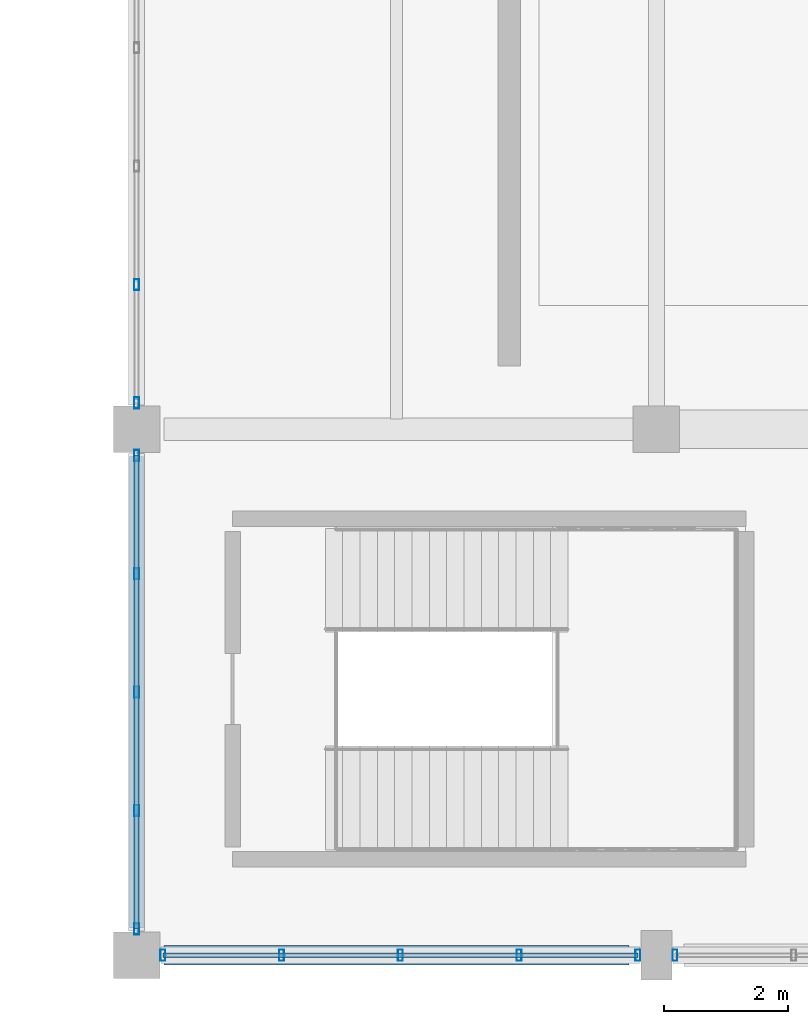
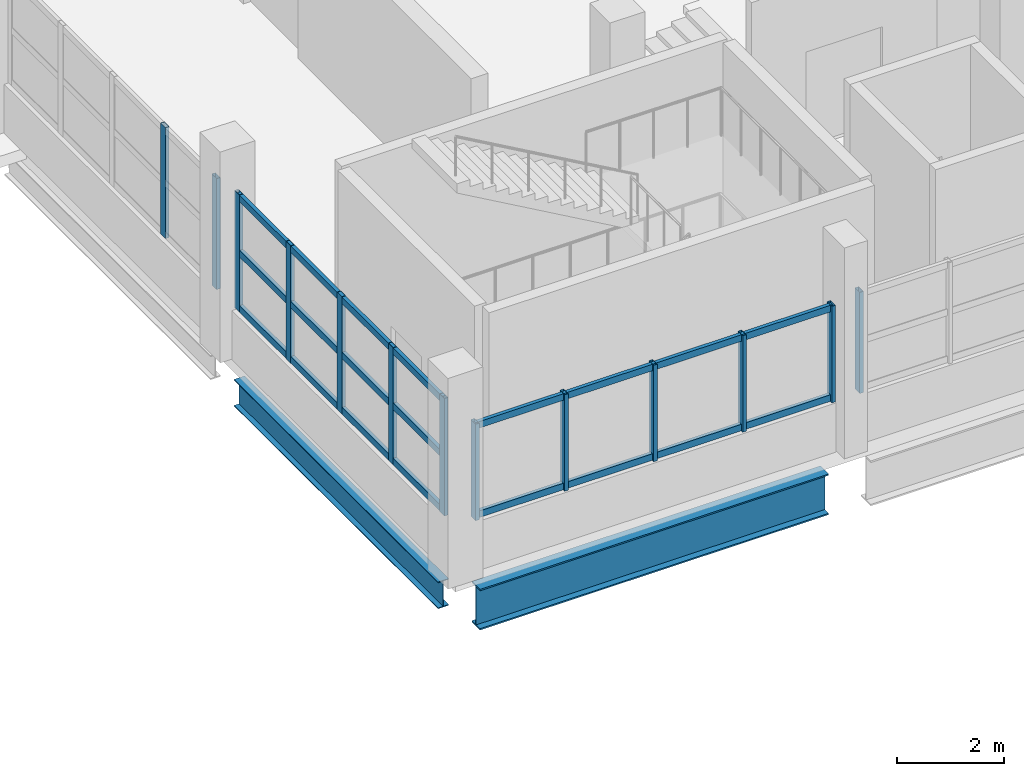
# One storey, part 48 of 117: 18 members, 2 beams, 4 elements without a shape of their own.
"""IFC4 building model written with IfcOpenShell, lengths in metres."""

import ifcopenshell
import ifcopenshell.guid

model = None  # the IFC model being written
_history = None  # IfcOwnerHistory: only IFC2X3 demands one
_inside = {}  # id of a spatial element -> (the spatial element, [elements in it])
_under = {}  # id of a project, library or spatial element -> (it, [spatial elements below it])
_declared = {}  # id of a project -> (the project, [libraries it declares])
_typed = {}  # id of a type object -> (the type object, [elements of that type])
_made_of = {}  # id of a material, layer set ... -> (it, [elements and type objects made of it])


def new_model(schema):
    """Start an empty IFC model of exactly this schema.

    Asked for "IFC4X3", IfcOpenShell would pick the latest addendum, in which some entities
    have other attributes; the version numbers below select the first issue.
    IFC2X3 requires an IfcOwnerHistory on every rooted entity: one is made here for all.
    """
    global model, _history
    if schema == "IFC4X3":
        model = ifcopenshell.file(schema_version=(4, 3, 0, 0))
    else:
        model = ifcopenshell.file(schema=schema)
    _inside.clear()
    _under.clear()
    _declared.clear()
    _typed.clear()
    _made_of.clear()
    _history = None
    if model.schema == "IFC2X3":
        org = make("IfcOrganization", Name="unknown")
        user = make(
            "IfcPersonAndOrganization",
            ThePerson=make("IfcPerson", FamilyName="unknown"),
            TheOrganization=org,
        )
        app = make(
            "IfcApplication",
            ApplicationDeveloper=org,
            Version="unknown",
            ApplicationFullName="unknown",
            ApplicationIdentifier="unknown",
        )
        _history = make(
            "IfcOwnerHistory",
            OwningUser=user,
            OwningApplication=app,
            ChangeAction="ADDED",
            CreationDate=0,
        )
    return model


def make(cls, **values):
    """One entity of the class cls with the attributes given. An attribute that is None is left unset."""
    return model.create_entity(
        cls, **{name: value for name, value in values.items() if value is not None}
    )


def rooted(cls, **values):
    """An entity with a GlobalId (a new one), such as an element, a storey or a relation."""
    return make(cls, GlobalId=ifcopenshell.guid.new(), OwnerHistory=_history, **values)


def si_unit(unit_type, name, prefix=None):
    """IfcSIUnit, for example si_unit("LENGTHUNIT", "METRE", prefix="MILLI")."""
    return make("IfcSIUnit", UnitType=unit_type, Prefix=prefix, Name=name)


def assignment(units):
    """IfcUnitAssignment: the units of a project."""
    return None if units is None else make("IfcUnitAssignment", Units=units)


def point(xyz):
    """IfcCartesianPoint."""
    return None if xyz is None else make("IfcCartesianPoint", Coordinates=xyz)


def direction(xyz):
    """IfcDirection."""
    return None if xyz is None else make("IfcDirection", DirectionRatios=xyz)


def frame(location, z_axis=None, x_axis=None):
    """IfcAxis2Placement3D, a coordinate frame: its origin and axes. An axis left out is left unset."""
    return make(
        "IfcAxis2Placement3D",
        Location=point(location),
        Axis=direction(z_axis),
        RefDirection=direction(x_axis),
    )


def frame_2d(location, x_axis=None):
    """IfcAxis2Placement2D, a coordinate frame in the plane: its origin and x axis."""
    return make(
        "IfcAxis2Placement2D", Location=point(location), RefDirection=direction(x_axis)
    )


def origin():
    """The frame at (0, 0, 0) with its axes left unset."""
    return frame((0.0, 0.0, 0.0))


def origin_2d():
    """The frame at (0, 0) in the plane with its x axis left unset."""
    return frame_2d((0.0, 0.0))


def place(relative_to, where):
    """IfcLocalPlacement: puts the frame where relative to a parent placement (None: the world)."""
    return make(
        "IfcLocalPlacement", PlacementRelTo=relative_to, RelativePlacement=where
    )


def context(
    kind, dimensions, precision=None, world=None, true_north=None, identifier=None
):
    """IfcGeometricRepresentationContext, for example the 3D "Model" context."""
    return make(
        "IfcGeometricRepresentationContext",
        ContextIdentifier=identifier,
        ContextType=kind,
        CoordinateSpaceDimension=dimensions,
        Precision=precision,
        WorldCoordinateSystem=world,
        TrueNorth=true_north,
    )


def subcontext(parent, identifier, kind, view, scale=None):
    """IfcGeometricRepresentationSubContext, for example "Body" below "Model"."""
    return make(
        "IfcGeometricRepresentationSubContext",
        ContextIdentifier=identifier,
        ContextType=kind,
        ParentContext=parent,
        TargetScale=scale,
        TargetView=view,
    )


def project(units=None, contexts=None):
    """IfcProject with its units and contexts."""
    return rooted(
        "IfcProject",
        Name="project",
        RepresentationContexts=contexts,
        UnitsInContext=assignment(units),
    )


def spatial(cls, under=None, at=None, **own):
    """A site, building, storey or space (cls), placed at a placement, below another one or the project."""
    s = rooted(cls, ObjectPlacement=at, **own)
    if under is not None:
        _under.setdefault(under.id(), (under, []))[1].append(s)
    return s


def profile(cls, at=None, kind="AREA", **sizes):
    """A parametric profile (cls). Its sizes go by their IFC names, for example OverallWidth=200.0."""
    return make(cls, ProfileType=kind, Position=at, **sizes)


def hollow_rectangle(**sizes):
    """IfcRectangleHollowProfileDef."""
    return profile("IfcRectangleHollowProfileDef", **sizes)


def i_section(**sizes):
    """IfcIShapeProfileDef."""
    return profile("IfcIShapeProfileDef", **sizes)


def extrude(swept, where, along, depth):
    """IfcExtrudedAreaSolid: the profile swept, set in the frame where, extruded along a direction by depth."""
    return make(
        "IfcExtrudedAreaSolid",
        SweptArea=swept,
        Position=where,
        ExtrudedDirection=direction(along),
        Depth=depth,
    )


def shape(context_of_items, identifier, shape_type, items):
    """IfcShapeRepresentation: the items that make up one representation, for example the "Body"."""
    return make(
        "IfcShapeRepresentation",
        ContextOfItems=context_of_items,
        RepresentationIdentifier=identifier,
        RepresentationType=shape_type,
        Items=items,
    )


def material(Name=None, Category=None):
    """IfcMaterial."""
    return make("IfcMaterial", Name=Name, Category=Category)


def material_profile(
    of_material, cross_section, Name=None, Category=None, Priority=None
):
    """IfcMaterialProfile: a cross section and its material."""
    return make(
        "IfcMaterialProfile",
        Name=Name,
        Material=of_material,
        Profile=cross_section,
        Priority=Priority,
        Category=Category,
    )


def profile_set(profiles, Name=None, composite=None):
    """IfcMaterialProfileSet."""
    return make(
        "IfcMaterialProfileSet",
        Name=Name,
        MaterialProfiles=profiles,
        CompositeProfile=composite,
    )


def made_of(thing, what):
    """Note that an element or type object is made of a material, layer set ...; save() writes the relation."""
    if what is not None:
        _made_of.setdefault(what.id(), (what, []))[1].append(thing)
    return thing


def type_object(cls, material=None, **own):
    """A type object (cls), such as IfcWallType, which elements share."""
    return made_of(rooted(cls, **own), material)


def element(
    cls,
    number,
    at=None,
    inside=None,
    cuts=None,
    type_object=None,
    material=None,
    context=None,
    identifier="Body",
    shape_type=None,
    held_by="IfcProductDefinitionShape",
    body=None,
    shapes=None,
    **own,
):
    """One element of the class cls, such as IfcWall. Its Tag is "e" and its number.

    at: its placement. inside: the storey or other place that contains it. cuts: it is an
    opening in that element (IfcRelVoidsElement). A single representation is given by context,
    identifier, shape_type and body (its items); several are given by shapes. held_by: the class
    of the entity that holds the representations. save() writes the other relations.
    """
    e = rooted(cls, Tag="e%d" % number, ObjectPlacement=at, **own)
    if body is not None:
        shapes = [shape(context, identifier, shape_type, body)]
    if shapes is not None:
        e.Representation = make(held_by, Representations=shapes)
    if inside is not None:
        _inside.setdefault(inside.id(), (inside, []))[1].append(e)
    if cuts is not None:
        rooted(
            "IfcRelVoidsElement", RelatingBuildingElement=cuts, RelatedOpeningElement=e
        )
    if type_object is not None:
        _typed.setdefault(type_object.id(), (type_object, []))[1].append(e)
    return made_of(e, material)


def aggregate(whole, parts):
    """IfcRelAggregates: a whole, such as a stair, and the parts it consists of."""
    return rooted("IfcRelAggregates", RelatingObject=whole, RelatedObjects=parts)


def save(model, path):
    """Write the relations noted so far, then the file.

    IfcRelAggregates (storeys below a building ...), IfcRelContainedInSpatialStructure (elements
    in a storey), IfcRelDefinesByType, IfcRelAssociatesMaterial and IfcRelDeclares: one each for
    every whole, place, type object, material and project.
    """
    for whole, parts in _under.values():
        aggregate(whole, parts)
    for where, things in _inside.values():
        rooted(
            "IfcRelContainedInSpatialStructure",
            RelatedElements=things,
            RelatingStructure=where,
        )
    for kind, things in _typed.values():
        rooted("IfcRelDefinesByType", RelatedObjects=things, RelatingType=kind)
    for what, things in _made_of.values():
        rooted("IfcRelAssociatesMaterial", RelatedObjects=things, RelatingMaterial=what)
    for by, libraries in _declared.values():
        rooted("IfcRelDeclares", RelatingContext=by, RelatedDefinitions=libraries)
    model.write(path)


model = new_model("IFC4")

# Units and contexts
model_context = context("Model", 3, precision=1e-05, world=origin(), true_north=direction((0.0, 1.0)))
body_context = subcontext(model_context, "Body", "Model", "MODEL_VIEW")
ifc_project = project(units=[si_unit("LENGTHUNIT", "METRE"), si_unit("AREAUNIT", "SQUARE_METRE"), si_unit("VOLUMEUNIT", "CUBIC_METRE"), si_unit("PLANEANGLEUNIT", "RADIAN"), si_unit("MASSUNIT", "GRAM", prefix="KILO")], contexts=[model_context])

# Site, building, storey
site_placement = place(None, origin())
site = spatial("IfcSite", under=ifc_project, at=site_placement, CompositionType="ELEMENT")
building_placement = place(site_placement, origin())
building = spatial("IfcBuilding", under=site, at=building_placement, Name="Solvento Point Concert Hall", CompositionType="ELEMENT")
storey_placement = place(building_placement, frame((0.0, 0.0, 5.39990234375)))
storey = spatial("IfcBuildingStorey", under=building, at=storey_placement, Name="L01", CompositionType="ELEMENT", Elevation=5.39990234375)

# Beams
ifc_material_1 = material(Name="Structural Steel ASTM A992 Grade 50", Category="steel")
ifc_material_profile_1 = material_profile(ifc_material_1, i_section(OverallWidth=0.228515625, OverallDepth=0.60791015625, WebThickness=0.01123046875, FlangeThickness=0.017333984375, at=origin_2d()), Name="W24X76")
ifc_profile_set_1 = profile_set([ifc_material_profile_1], Name="Structural Steel ASTM A992 Grade 50")
beam_type_1 = type_object("IfcBeamType", Name="Beam_W24X76", PredefinedType="BEAM", material=ifc_profile_set_1)
beam_1_placement = place(storey_placement, frame((150.0, 0.444091796875, -0.727783203125), z_axis=(0.0, 1.0, 0.0), x_axis=(-1.0, 0.0, 0.0)))
element("IfcBeam", 1, at=beam_1_placement, inside=storey, type_object=beam_type_1, Name="Primary girder B-42 L01", PredefinedType="BEAM", context=body_context, shape_type="SweptSolid", body=[
    extrude(i_section(OverallWidth=0.228515625, OverallDepth=0.60791015625, WebThickness=0.01123046875, FlangeThickness=0.017333984375, at=origin_2d()), origin(), (0.0, 0.0, 1.0), 7.61181640625),
])
ifc_material_2 = material(Name="Structural Steel ASTM A992 Grade 50", Category="steel")
ifc_material_profile_2 = material_profile(ifc_material_2, i_section(OverallWidth=0.3076171875, OverallDepth=0.927001953125, WebThickness=0.019287109375, FlangeThickness=0.031982421875, at=origin_2d()), Name="W36X194")
ifc_profile_set_2 = profile_set([ifc_material_profile_2], Name="Structural Steel ASTM A992 Grade 50")
beam_type_2 = type_object("IfcBeamType", Name="Girder_W36X194", PredefinedType="USERDEFINED", material=ifc_profile_set_2)
beam_2_placement = place(storey_placement, frame((150.444091796875, 0.0, -0.887451171875), z_axis=(1.0, 0.0, 0.0), x_axis=(0.0, 1.0, 0.0)))
element("IfcBeam", 2, at=beam_2_placement, inside=storey, type_object=beam_type_2, Name="Primary girder B-61 L01", ObjectType="GIRDER", PredefinedType="USERDEFINED", context=body_context, shape_type="SweptSolid", body=[
    extrude(i_section(OverallWidth=0.3076171875, OverallDepth=0.927001953125, WebThickness=0.019287109375, FlangeThickness=0.031982421875, at=origin_2d()), origin(), (0.0, 0.0, 1.0), 7.511962890625),
])

# Curtain wall, members
ifc_material_3 = material(Name="Anodized Bronze Aluminium", Category="aluminium")
curtain_wall_type = type_object("IfcCurtainWallType", Name="CurtainWall_ChamberCircle", PredefinedType="USERDEFINED", material=ifc_material_3)
curtain_wall_1_placement = place(storey_placement, origin())
curtain_wall_1 = element("IfcCurtainWall", 3, at=curtain_wall_1_placement, inside=storey, type_object=curtain_wall_type, Name="Unitised curtain wall CW-32 UCW-L01-073", ObjectType="UNITISED CURTAIN WALL", PredefinedType="USERDEFINED")
ifc_material_4 = material(Name="Anodized Bronze Aluminium", Category="aluminium")
ifc_material_profile_3 = material_profile(ifc_material_4, hollow_rectangle(XDim=0.080078125, YDim=0.179931640625, WallThickness=0.00390625, at=origin_2d()), Name="CW-MUL-80X180")
ifc_profile_set_3 = profile_set([ifc_material_profile_3], Name="Anodized Bronze Aluminium")
member_type_1 = type_object("IfcMemberType", Name="Mullion_80x180", PredefinedType="MULLION", material=ifc_profile_set_3)
member_1_placement = place(storey_placement, frame((150.0, 0.425048828125, 1.1201171875), z_axis=(0.0, 0.0, 1.0), x_axis=(1.0, 0.0, 0.0)))
member_1 = element("IfcMember", 4, at=member_1_placement, type_object=member_type_1, Name="Curtain wall mullion ML-01", PredefinedType="MULLION", context=body_context, shape_type="SweptSolid", body=[
    extrude(hollow_rectangle(XDim=0.080078125, YDim=0.179931640625, WallThickness=0.00390625, at=origin_2d()), origin(), (0.0, 0.0, 1.0), 2.675048828125),
])
member_2_placement = place(storey_placement, frame((150.0, 2.33740234375, 1.1201171875), z_axis=(0.0, 0.0, 1.0), x_axis=(1.0, 0.0, 0.0)))
member_2 = element("IfcMember", 5, at=member_2_placement, type_object=member_type_1, Name="Curtain wall mullion ML-01", PredefinedType="MULLION", context=body_context, shape_type="SweptSolid", body=[
    extrude(hollow_rectangle(XDim=0.080078125, YDim=0.179931640625, WallThickness=0.00390625, at=origin_2d()), origin(), (0.0, 0.0, 1.0), 2.675048828125),
])
member_3_placement = place(storey_placement, frame((150.0, 4.25, 1.1201171875), z_axis=(0.0, 0.0, 1.0), x_axis=(1.0, 0.0, 0.0)))
member_3 = element("IfcMember", 6, at=member_3_placement, type_object=member_type_1, Name="Curtain wall mullion ML-01", PredefinedType="MULLION", context=body_context, shape_type="SweptSolid", body=[
    extrude(hollow_rectangle(XDim=0.080078125, YDim=0.179931640625, WallThickness=0.00390625, at=origin_2d()), origin(), (0.0, 0.0, 1.0), 2.675048828125),
])
member_4_placement = place(storey_placement, frame((150.0, 6.16259765625, 1.1201171875), z_axis=(0.0, 0.0, 1.0), x_axis=(1.0, 0.0, 0.0)))
member_4 = element("IfcMember", 7, at=member_4_placement, type_object=member_type_1, Name="Curtain wall mullion ML-01", PredefinedType="MULLION", context=body_context, shape_type="SweptSolid", body=[
    extrude(hollow_rectangle(XDim=0.080078125, YDim=0.179931640625, WallThickness=0.00390625, at=origin_2d()), origin(), (0.0, 0.0, 1.0), 2.675048828125),
])
member_5_placement = place(storey_placement, frame((150.0, 8.074951171875, 1.1201171875), z_axis=(0.0, 0.0, 1.0), x_axis=(1.0, 0.0, 0.0)))
member_5 = element("IfcMember", 8, at=member_5_placement, type_object=member_type_1, Name="Curtain wall mullion ML-01", PredefinedType="MULLION", context=body_context, shape_type="SweptSolid", body=[
    extrude(hollow_rectangle(XDim=0.080078125, YDim=0.179931640625, WallThickness=0.00390625, at=origin_2d()), origin(), (0.0, 0.0, 1.0), 2.675048828125),
])

curtain_wall_2_placement = place(storey_placement, origin())
curtain_wall_2 = element("IfcCurtainWall", 9, at=curtain_wall_2_placement, inside=storey, type_object=curtain_wall_type, Name="Unitised curtain wall CW-32 UCW-L01-074", ObjectType="UNITISED CURTAIN WALL", PredefinedType="USERDEFINED")
member_6_placement = place(storey_placement, frame((150.0, 8.925048828125, 1.1201171875), z_axis=(0.0, 0.0, 1.0), x_axis=(1.0, 0.0, 0.0)))
member_6 = element("IfcMember", 10, at=member_6_placement, type_object=member_type_1, Name="Curtain wall mullion ML-01", PredefinedType="MULLION", context=body_context, shape_type="SweptSolid", body=[
    extrude(hollow_rectangle(XDim=0.080078125, YDim=0.179931640625, WallThickness=0.00390625, at=origin_2d()), origin(), (0.0, 0.0, 1.0), 2.531005859375),
])
member_7_placement = place(storey_placement, frame((150.0, 10.83740234375, 1.1201171875), z_axis=(0.0, 0.0, 1.0), x_axis=(1.0, 0.0, 0.0)))
member_7 = element("IfcMember", 11, at=member_7_placement, type_object=member_type_1, Name="Curtain wall mullion ML-01", PredefinedType="MULLION", context=body_context, shape_type="SweptSolid", body=[
    extrude(hollow_rectangle(XDim=0.080078125, YDim=0.179931640625, WallThickness=0.00390625, at=origin_2d()), origin(), (0.0, 0.0, 1.0), 2.531005859375),
])
aggregate(curtain_wall_2, [member_6, member_7])

curtain_wall_3_placement = place(storey_placement, origin())
curtain_wall_3 = element("IfcCurtainWall", 12, at=curtain_wall_3_placement, inside=storey, type_object=curtain_wall_type, Name="Unitised curtain wall CW-32 UCW-L01-086", ObjectType="UNITISED CURTAIN WALL", PredefinedType="USERDEFINED")
member_8_placement = place(storey_placement, frame((150.425048828125, 0.0, 1.1201171875), z_axis=(0.0, 0.0, 1.0), x_axis=(1.0, 0.0, 0.0)))
member_8 = element("IfcMember", 13, at=member_8_placement, type_object=member_type_1, Name="Curtain wall mullion ML-01", PredefinedType="MULLION", context=body_context, shape_type="SweptSolid", body=[
    extrude(hollow_rectangle(XDim=0.080078125, YDim=0.179931640625, WallThickness=0.00390625, at=origin_2d()), origin(), (0.0, 0.0, 1.0), 2.197998046875),
])
member_9_placement = place(storey_placement, frame((152.34375, 0.0, 1.1201171875), z_axis=(0.0, 0.0, 1.0), x_axis=(1.0, 0.0, 0.0)))
member_9 = element("IfcMember", 14, at=member_9_placement, type_object=member_type_1, Name="Curtain wall mullion ML-01", PredefinedType="MULLION", context=body_context, shape_type="SweptSolid", body=[
    extrude(hollow_rectangle(XDim=0.080078125, YDim=0.179931640625, WallThickness=0.00390625, at=origin_2d()), origin(), (0.0, 0.0, 1.0), 2.197998046875),
])
member_10_placement = place(storey_placement, frame((154.262451171875, 0.0, 1.1201171875), z_axis=(0.0, 0.0, 1.0), x_axis=(1.0, 0.0, 0.0)))
member_10 = element("IfcMember", 15, at=member_10_placement, type_object=member_type_1, Name="Curtain wall mullion ML-01", PredefinedType="MULLION", context=body_context, shape_type="SweptSolid", body=[
    extrude(hollow_rectangle(XDim=0.080078125, YDim=0.179931640625, WallThickness=0.00390625, at=origin_2d()), origin(), (0.0, 0.0, 1.0), 2.197998046875),
])
member_11_placement = place(storey_placement, frame((156.181396484375, 0.0, 1.1201171875), z_axis=(0.0, 0.0, 1.0), x_axis=(1.0, 0.0, 0.0)))
member_11 = element("IfcMember", 16, at=member_11_placement, type_object=member_type_1, Name="Curtain wall mullion ML-01", PredefinedType="MULLION", context=body_context, shape_type="SweptSolid", body=[
    extrude(hollow_rectangle(XDim=0.080078125, YDim=0.179931640625, WallThickness=0.00390625, at=origin_2d()), origin(), (0.0, 0.0, 1.0), 2.197998046875),
])
member_12_placement = place(storey_placement, frame((158.10009765625, 0.0, 1.1201171875), z_axis=(0.0, 0.0, 1.0), x_axis=(1.0, 0.0, 0.0)))
member_12 = element("IfcMember", 17, at=member_12_placement, type_object=member_type_1, Name="Curtain wall mullion ML-01", PredefinedType="MULLION", context=body_context, shape_type="SweptSolid", body=[
    extrude(hollow_rectangle(XDim=0.080078125, YDim=0.179931640625, WallThickness=0.00390625, at=origin_2d()), origin(), (0.0, 0.0, 1.0), 2.197998046875),
])

# Curtain wall, member
curtain_wall_4_placement = place(storey_placement, origin())
curtain_wall_4 = element("IfcCurtainWall", 18, at=curtain_wall_4_placement, inside=storey, type_object=curtain_wall_type, Name="Unitised curtain wall CW-32 UCW-L01-087", ObjectType="UNITISED CURTAIN WALL", PredefinedType="USERDEFINED")
member_13_placement = place(storey_placement, frame((158.699951171875, 0.0, 1.1201171875), z_axis=(0.0, 0.0, 1.0), x_axis=(1.0, 0.0, 0.0)))
member_13 = element("IfcMember", 19, at=member_13_placement, type_object=member_type_1, Name="Curtain wall mullion ML-01", PredefinedType="MULLION", context=body_context, shape_type="SweptSolid", body=[
    extrude(hollow_rectangle(XDim=0.080078125, YDim=0.179931640625, WallThickness=0.00390625, at=origin_2d()), origin(), (0.0, 0.0, 1.0), 2.303955078125),
])
aggregate(curtain_wall_4, [member_13])

# Member
ifc_material_5 = material(Name="Anodized Bronze Aluminium", Category="aluminium")
ifc_material_profile_4 = material_profile(ifc_material_5, hollow_rectangle(XDim=0.080078125, YDim=0.14990234375, WallThickness=0.00390625, at=origin_2d()), Name="CW-TRN-80X150")
ifc_profile_set_4 = profile_set([ifc_material_profile_4], Name="Anodized Bronze Aluminium")
member_type_2 = type_object("IfcMemberType", Name="Transom_80x150", PredefinedType="USERDEFINED", material=ifc_profile_set_4)
member_14_placement = place(storey_placement, frame((150.0, 0.425048828125, 1.2001953125), z_axis=(0.0, 1.0, 0.0), x_axis=(-1.0, 0.0, 0.0)))
member_14 = element("IfcMember", 20, at=member_14_placement, type_object=member_type_2, Name="Curtain wall transom TR-01", ObjectType="TRANSOM", PredefinedType="USERDEFINED", context=body_context, shape_type="SweptSolid", body=[
    extrude(hollow_rectangle(XDim=0.080078125, YDim=0.14990234375, WallThickness=0.00390625, at=origin_2d()), origin(), (0.0, 0.0, 1.0), 7.64990234375),
])

member_15_placement = place(storey_placement, frame((150.0, 0.425048828125, 2.45751953125), z_axis=(0.0, 1.0, 0.0), x_axis=(-1.0, 0.0, 0.0)))
member_15 = element("IfcMember", 21, at=member_15_placement, type_object=member_type_2, Name="Curtain wall transom TR-01", ObjectType="TRANSOM", PredefinedType="USERDEFINED", context=body_context, shape_type="SweptSolid", body=[
    extrude(hollow_rectangle(XDim=0.080078125, YDim=0.14990234375, WallThickness=0.00390625, at=origin_2d()), origin(), (0.0, 0.0, 1.0), 7.64990234375),
])

member_16_placement = place(storey_placement, frame((150.0, 0.425048828125, 3.715087890625), z_axis=(0.0, 1.0, 0.0), x_axis=(-1.0, 0.0, 0.0)))
member_16 = element("IfcMember", 22, at=member_16_placement, type_object=member_type_2, Name="Curtain wall transom TR-01", ObjectType="TRANSOM", PredefinedType="USERDEFINED", context=body_context, shape_type="SweptSolid", body=[
    extrude(hollow_rectangle(XDim=0.080078125, YDim=0.14990234375, WallThickness=0.00390625, at=origin_2d()), origin(), (0.0, 0.0, 1.0), 7.64990234375),
])

aggregate(curtain_wall_1, [member_1, member_2, member_3, member_4, member_5, member_14, member_15, member_16])

member_17_placement = place(storey_placement, frame((150.425048828125, 0.0, 1.2001953125), z_axis=(1.0, 0.0, 0.0), x_axis=(0.0, 1.0, 0.0)))
member_17 = element("IfcMember", 23, at=member_17_placement, type_object=member_type_2, Name="Curtain wall transom TR-01", ObjectType="TRANSOM", PredefinedType="USERDEFINED", context=body_context, shape_type="SweptSolid", body=[
    extrude(hollow_rectangle(XDim=0.080078125, YDim=0.14990234375, WallThickness=0.00390625, at=origin_2d()), origin(), (0.0, 0.0, 1.0), 7.675048828125),
])

member_18_placement = place(storey_placement, frame((150.425048828125, 0.0, 3.238037109375), z_axis=(1.0, 0.0, 0.0), x_axis=(0.0, 1.0, 0.0)))
member_18 = element("IfcMember", 24, at=member_18_placement, type_object=member_type_2, Name="Curtain wall transom TR-01", ObjectType="TRANSOM", PredefinedType="USERDEFINED", context=body_context, shape_type="SweptSolid", body=[
    extrude(hollow_rectangle(XDim=0.080078125, YDim=0.14990234375, WallThickness=0.00390625, at=origin_2d()), origin(), (0.0, 0.0, 1.0), 7.675048828125),
])

aggregate(curtain_wall_3, [member_8, member_9, member_10, member_11, member_12, member_17, member_18])

save(model, "model.ifc")
